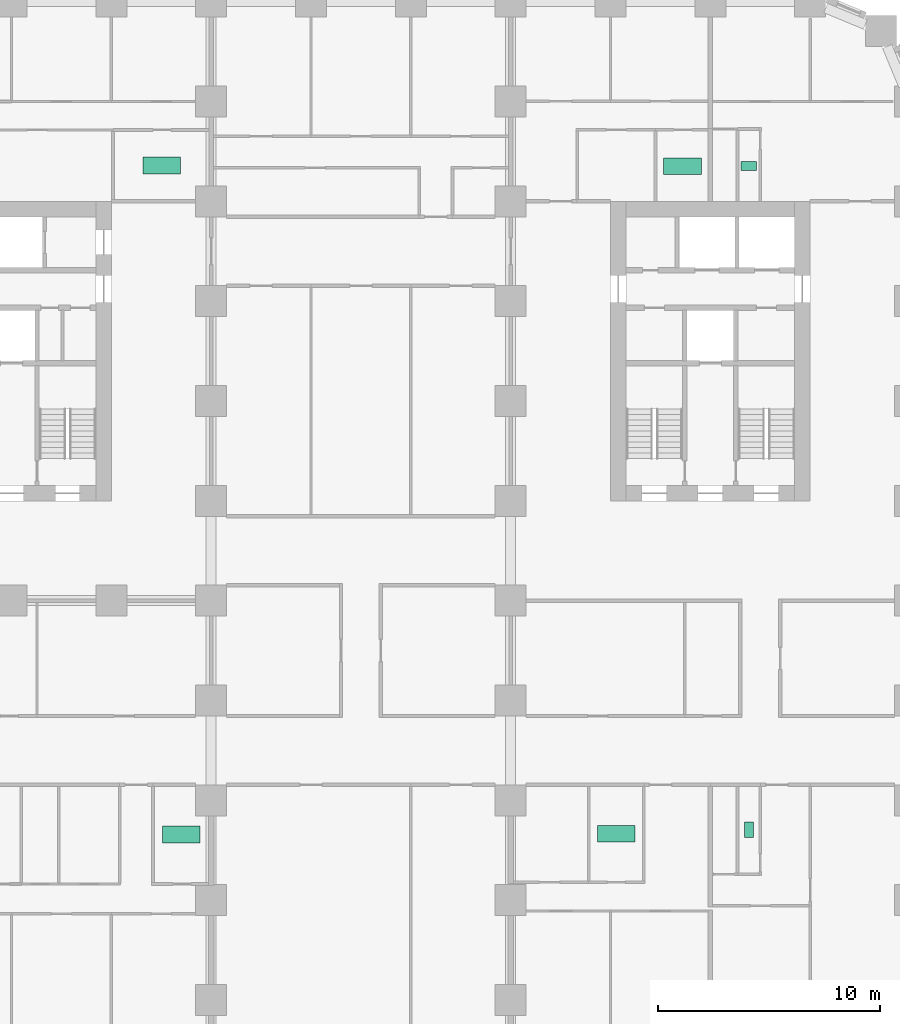
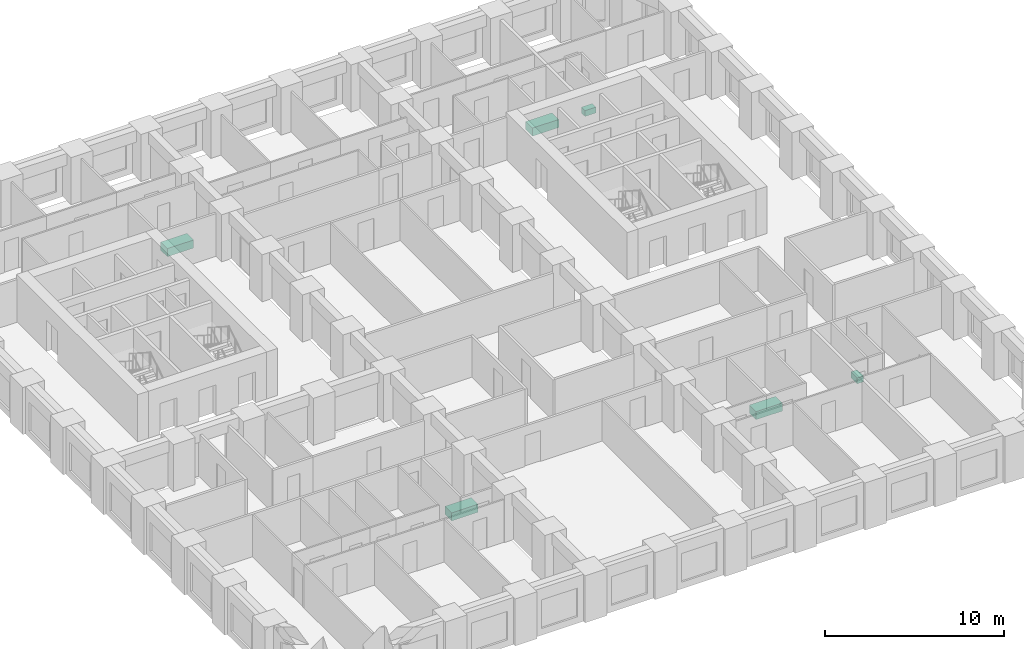
# One storey, part 13 of 13: 6 sanitary terminals.
"""IFC4 building model written with IfcOpenShell, lengths in metres."""

from ifc_helpers import new_model, si_unit, direction, frame, origin, origin_2d, place, context, subcontext, project, spatial, rectangle, extrude, material, type_object, element, save


model = new_model("IFC4")

# Units and contexts
model_context = context("Model", 3, precision=1e-05, world=origin(), true_north=direction((0.0, 1.0)))
body_context = subcontext(model_context, "Body", "Model", "MODEL_VIEW")
ifc_project = project(units=[si_unit("LENGTHUNIT", "METRE"), si_unit("AREAUNIT", "SQUARE_METRE"), si_unit("VOLUMEUNIT", "CUBIC_METRE"), si_unit("PLANEANGLEUNIT", "RADIAN"), si_unit("MASSUNIT", "GRAM", prefix="KILO")], contexts=[model_context])

# Site, building, storey
site_placement = place(None, origin())
site = spatial("IfcSite", under=ifc_project, at=site_placement, CompositionType="ELEMENT")
building_placement = place(site_placement, origin())
building = spatial("IfcBuilding", under=site, at=building_placement, Name="Girih Gate Residences", CompositionType="ELEMENT")
storey_placement = place(building_placement, frame((0.0, 0.0, 46.39990234375)))
storey = spatial("IfcBuildingStorey", under=building, at=storey_placement, Name="L11", CompositionType="ELEMENT", Elevation=46.39990234375)

# Sanitary terminals
ifc_material_1 = material(Name="Acrylic")
sanitary_terminal_type_1 = type_object("IfcSanitaryTerminalType", Name="Bath 1700", PredefinedType="BATH", material=ifc_material_1)
for number, where, z_axis, x_axis, name in (
    (1, (16.656005859375, 11.958984375, 0.0), (0.0, 0.0, 1.0), (1.0, 0.0, 0.0), "Bath 1700 L11"),
    (2, (15.76806640625, 42.115966796875, 0.0), (0.0, 0.0, 1.0), (1.0, 0.0, 0.0), "Bath 1700 L11"),
    (3, (36.258056640625, 11.9990234375, 0.0), (0.0, 0.0, 1.0), (1.0, 0.0, 0.0), "Bath 1700 L11"),
    (4, (39.2451171875, 42.083984375, 0.0), (0.0, 0.0, 1.0), (1.0, 0.0, 0.0), "Bath 1700 L11"),
):
    element("IfcSanitaryTerminal", number, at=place(storey_placement, frame(where, z_axis=z_axis, x_axis=x_axis)), inside=storey, type_object=sanitary_terminal_type_1, Name=name, PredefinedType="BATH", context=body_context, shape_type="SweptSolid", body=[
        extrude(rectangle(XDim=1.699951171875, YDim=0.75, at=origin_2d()), origin(), (0.0, 0.0, 1.0), 0.550048828125),
    ])
ifc_material_2 = material(Name="Vitreous china")
sanitary_terminal_type_2 = type_object("IfcSanitaryTerminalType", Name="WC pan", PredefinedType="TOILETPAN", material=ifc_material_2)
sanitary_terminal_1_placement = place(storey_placement, frame((42.239013671875, 12.178955078125, 0.000244140625), z_axis=(0.0, 0.0, 1.0), x_axis=(1.0, 0.0, 0.0)))
element("IfcSanitaryTerminal", 5, at=sanitary_terminal_1_placement, inside=storey, type_object=sanitary_terminal_type_2, Name="WC pan L11", PredefinedType="TOILETPAN", context=body_context, shape_type="SweptSolid", body=[
    extrude(rectangle(XDim=0.39990234375, YDim=0.699951171875, at=origin_2d()), origin(), (0.0, 0.0, 1.0), 0.39990234375),
])
sanitary_terminal_2_placement = place(storey_placement, frame((42.239013671875, 42.09912109375, 0.000244140625), z_axis=(0.0, 0.0, 1.0), x_axis=(1.0, 0.0, 0.0)))
element("IfcSanitaryTerminal", 6, at=sanitary_terminal_2_placement, inside=storey, type_object=sanitary_terminal_type_2, Name="WC pan L11", PredefinedType="TOILETPAN", context=body_context, shape_type="SweptSolid", body=[
    extrude(rectangle(XDim=0.699951171875, YDim=0.39990234375, at=origin_2d()), origin(), (0.0, 0.0, 1.0), 0.39990234375),
])

save(model, "model.ifc")
